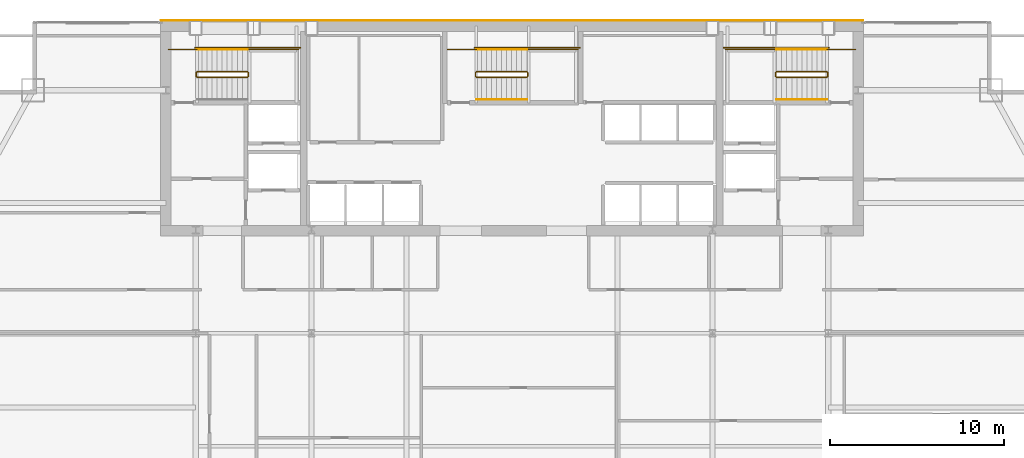
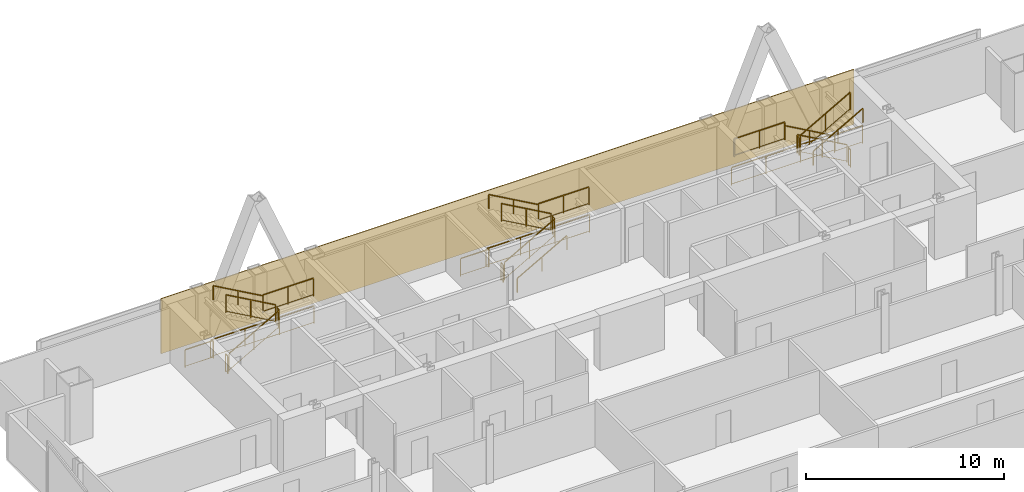
# One storey, part 29 of 29: 26 railings, 1 covering.
"""IFC4 building model written with IfcOpenShell, lengths in metres."""

import ifcopenshell
import ifcopenshell.guid

model = None  # the IFC model being written
_history = None  # IfcOwnerHistory: only IFC2X3 demands one
_inside = {}  # id of a spatial element -> (the spatial element, [elements in it])
_under = {}  # id of a project, library or spatial element -> (it, [spatial elements below it])
_declared = {}  # id of a project -> (the project, [libraries it declares])
_typed = {}  # id of a type object -> (the type object, [elements of that type])
_made_of = {}  # id of a material, layer set ... -> (it, [elements and type objects made of it])


def new_model(schema):
    """Start an empty IFC model of exactly this schema.

    Asked for "IFC4X3", IfcOpenShell would pick the latest addendum, in which some entities
    have other attributes; the version numbers below select the first issue.
    IFC2X3 requires an IfcOwnerHistory on every rooted entity: one is made here for all.
    """
    global model, _history
    if schema == "IFC4X3":
        model = ifcopenshell.file(schema_version=(4, 3, 0, 0))
    else:
        model = ifcopenshell.file(schema=schema)
    _inside.clear()
    _under.clear()
    _declared.clear()
    _typed.clear()
    _made_of.clear()
    _history = None
    if model.schema == "IFC2X3":
        org = make("IfcOrganization", Name="unknown")
        user = make(
            "IfcPersonAndOrganization",
            ThePerson=make("IfcPerson", FamilyName="unknown"),
            TheOrganization=org,
        )
        app = make(
            "IfcApplication",
            ApplicationDeveloper=org,
            Version="unknown",
            ApplicationFullName="unknown",
            ApplicationIdentifier="unknown",
        )
        _history = make(
            "IfcOwnerHistory",
            OwningUser=user,
            OwningApplication=app,
            ChangeAction="ADDED",
            CreationDate=0,
        )
    return model


def make(cls, **values):
    """One entity of the class cls with the attributes given. An attribute that is None is left unset."""
    return model.create_entity(
        cls, **{name: value for name, value in values.items() if value is not None}
    )


def rooted(cls, **values):
    """An entity with a GlobalId (a new one), such as an element, a storey or a relation."""
    return make(cls, GlobalId=ifcopenshell.guid.new(), OwnerHistory=_history, **values)


def si_unit(unit_type, name, prefix=None):
    """IfcSIUnit, for example si_unit("LENGTHUNIT", "METRE", prefix="MILLI")."""
    return make("IfcSIUnit", UnitType=unit_type, Prefix=prefix, Name=name)


def assignment(units):
    """IfcUnitAssignment: the units of a project."""
    return None if units is None else make("IfcUnitAssignment", Units=units)


def point(xyz):
    """IfcCartesianPoint."""
    return None if xyz is None else make("IfcCartesianPoint", Coordinates=xyz)


def direction(xyz):
    """IfcDirection."""
    return None if xyz is None else make("IfcDirection", DirectionRatios=xyz)


def frame(location, z_axis=None, x_axis=None):
    """IfcAxis2Placement3D, a coordinate frame: its origin and axes. An axis left out is left unset."""
    return make(
        "IfcAxis2Placement3D",
        Location=point(location),
        Axis=direction(z_axis),
        RefDirection=direction(x_axis),
    )


def frame_2d(location, x_axis=None):
    """IfcAxis2Placement2D, a coordinate frame in the plane: its origin and x axis."""
    return make(
        "IfcAxis2Placement2D", Location=point(location), RefDirection=direction(x_axis)
    )


def origin():
    """The frame at (0, 0, 0) with its axes left unset."""
    return frame((0.0, 0.0, 0.0))


def origin_2d():
    """The frame at (0, 0) in the plane with its x axis left unset."""
    return frame_2d((0.0, 0.0))


def place(relative_to, where):
    """IfcLocalPlacement: puts the frame where relative to a parent placement (None: the world)."""
    return make(
        "IfcLocalPlacement", PlacementRelTo=relative_to, RelativePlacement=where
    )


def context(
    kind, dimensions, precision=None, world=None, true_north=None, identifier=None
):
    """IfcGeometricRepresentationContext, for example the 3D "Model" context."""
    return make(
        "IfcGeometricRepresentationContext",
        ContextIdentifier=identifier,
        ContextType=kind,
        CoordinateSpaceDimension=dimensions,
        Precision=precision,
        WorldCoordinateSystem=world,
        TrueNorth=true_north,
    )


def subcontext(parent, identifier, kind, view, scale=None):
    """IfcGeometricRepresentationSubContext, for example "Body" below "Model"."""
    return make(
        "IfcGeometricRepresentationSubContext",
        ContextIdentifier=identifier,
        ContextType=kind,
        ParentContext=parent,
        TargetScale=scale,
        TargetView=view,
    )


def project(units=None, contexts=None):
    """IfcProject with its units and contexts."""
    return rooted(
        "IfcProject",
        Name="project",
        RepresentationContexts=contexts,
        UnitsInContext=assignment(units),
    )


def spatial(cls, under=None, at=None, **own):
    """A site, building, storey or space (cls), placed at a placement, below another one or the project."""
    s = rooted(cls, ObjectPlacement=at, **own)
    if under is not None:
        _under.setdefault(under.id(), (under, []))[1].append(s)
    return s


def polyline(points):
    """IfcPolyline through the points."""
    return make("IfcPolyline", Points=[point(p) for p in points])


def profile(cls, at=None, kind="AREA", **sizes):
    """A parametric profile (cls). Its sizes go by their IFC names, for example OverallWidth=200.0."""
    return make(cls, ProfileType=kind, Position=at, **sizes)


def rectangle(**sizes):
    """IfcRectangleProfileDef."""
    return profile("IfcRectangleProfileDef", **sizes)


def outline(outer, holes=None, kind="AREA"):
    """IfcArbitraryClosedProfileDef: a profile drawn as a closed curve; with holes, ...WithVoids."""
    if holes is None:
        return make("IfcArbitraryClosedProfileDef", ProfileType=kind, OuterCurve=outer)
    return make(
        "IfcArbitraryProfileDefWithVoids",
        ProfileType=kind,
        OuterCurve=outer,
        InnerCurves=holes,
    )


def extrude(swept, where, along, depth):
    """IfcExtrudedAreaSolid: the profile swept, set in the frame where, extruded along a direction by depth."""
    return make(
        "IfcExtrudedAreaSolid",
        SweptArea=swept,
        Position=where,
        ExtrudedDirection=direction(along),
        Depth=depth,
    )


def shape(context_of_items, identifier, shape_type, items):
    """IfcShapeRepresentation: the items that make up one representation, for example the "Body"."""
    return make(
        "IfcShapeRepresentation",
        ContextOfItems=context_of_items,
        RepresentationIdentifier=identifier,
        RepresentationType=shape_type,
        Items=items,
    )


def material(Name=None, Category=None):
    """IfcMaterial."""
    return make("IfcMaterial", Name=Name, Category=Category)


def layer(
    of_material, thickness, ventilated=None, Name=None, Category=None, Priority=None
):
    """IfcMaterialLayer: one layer of a wall or slab, of a material (None: an air gap)."""
    return make(
        "IfcMaterialLayer",
        Material=of_material,
        LayerThickness=thickness,
        IsVentilated=ventilated,
        Name=Name,
        Category=Category,
        Priority=Priority,
    )


def layer_set(layers, Name=None):
    """IfcMaterialLayerSet."""
    return make("IfcMaterialLayerSet", MaterialLayers=layers, LayerSetName=Name)


def made_of(thing, what):
    """Note that an element or type object is made of a material, layer set ...; save() writes the relation."""
    if what is not None:
        _made_of.setdefault(what.id(), (what, []))[1].append(thing)
    return thing


def type_object(cls, material=None, **own):
    """A type object (cls), such as IfcWallType, which elements share."""
    return made_of(rooted(cls, **own), material)


def element(
    cls,
    number,
    at=None,
    inside=None,
    cuts=None,
    type_object=None,
    material=None,
    context=None,
    identifier="Body",
    shape_type=None,
    held_by="IfcProductDefinitionShape",
    body=None,
    shapes=None,
    **own,
):
    """One element of the class cls, such as IfcWall. Its Tag is "e" and its number.

    at: its placement. inside: the storey or other place that contains it. cuts: it is an
    opening in that element (IfcRelVoidsElement). A single representation is given by context,
    identifier, shape_type and body (its items); several are given by shapes. held_by: the class
    of the entity that holds the representations. save() writes the other relations.
    """
    e = rooted(cls, Tag="e%d" % number, ObjectPlacement=at, **own)
    if body is not None:
        shapes = [shape(context, identifier, shape_type, body)]
    if shapes is not None:
        e.Representation = make(held_by, Representations=shapes)
    if inside is not None:
        _inside.setdefault(inside.id(), (inside, []))[1].append(e)
    if cuts is not None:
        rooted(
            "IfcRelVoidsElement", RelatingBuildingElement=cuts, RelatedOpeningElement=e
        )
    if type_object is not None:
        _typed.setdefault(type_object.id(), (type_object, []))[1].append(e)
    return made_of(e, material)


def aggregate(whole, parts):
    """IfcRelAggregates: a whole, such as a stair, and the parts it consists of."""
    return rooted("IfcRelAggregates", RelatingObject=whole, RelatedObjects=parts)


def save(model, path):
    """Write the relations noted so far, then the file.

    IfcRelAggregates (storeys below a building ...), IfcRelContainedInSpatialStructure (elements
    in a storey), IfcRelDefinesByType, IfcRelAssociatesMaterial and IfcRelDeclares: one each for
    every whole, place, type object, material and project.
    """
    for whole, parts in _under.values():
        aggregate(whole, parts)
    for where, things in _inside.values():
        rooted(
            "IfcRelContainedInSpatialStructure",
            RelatedElements=things,
            RelatingStructure=where,
        )
    for kind, things in _typed.values():
        rooted("IfcRelDefinesByType", RelatedObjects=things, RelatingType=kind)
    for what, things in _made_of.values():
        rooted("IfcRelAssociatesMaterial", RelatedObjects=things, RelatingMaterial=what)
    for by, libraries in _declared.values():
        rooted("IfcRelDeclares", RelatingContext=by, RelatedDefinitions=libraries)
    model.write(path)


model = new_model("IFC4")

# Units and contexts
model_context = context("Model", 3, precision=1e-05, world=origin(), true_north=direction((0.0, 1.0)))
body_context = subcontext(model_context, "Body", "Model", "MODEL_VIEW")
ifc_project = project(units=[si_unit("LENGTHUNIT", "METRE"), si_unit("AREAUNIT", "SQUARE_METRE"), si_unit("VOLUMEUNIT", "CUBIC_METRE"), si_unit("PLANEANGLEUNIT", "RADIAN"), si_unit("MASSUNIT", "GRAM", prefix="KILO")], contexts=[model_context])

# Site, building, storey
site_placement = place(None, origin())
site = spatial("IfcSite", under=ifc_project, at=site_placement, CompositionType="ELEMENT")
building_placement = place(site_placement, origin())
building = spatial("IfcBuilding", under=site, at=building_placement, Name="Khoronbel Lancet Exchange", CompositionType="ELEMENT")
storey_placement = place(building_placement, frame((0.0, 0.0, 180.60009765625)))
storey = spatial("IfcBuildingStorey", under=building, at=storey_placement, Name="L45", CompositionType="ELEMENT", Elevation=180.60009765625)

# Covering
ifc_material_1 = material(Name="Honed Egyptian Limestone & Bronze Rainscreen", Category="masonry")
ifc_layer = layer(ifc_material_1, 0.050048828125, Name="Honed Egyptian Limestone & Bronze Rainscreen")
ifc_layer_set = layer_set([ifc_layer], Name="Honed Egyptian Limestone & Bronze Rainscreen")
covering_type = type_object("IfcCoveringType", Name="COV-CLAD1", PredefinedType="CLADDING", material=ifc_layer_set)
covering_placement = place(storey_placement, origin())
element("IfcCovering", 1, at=covering_placement, inside=storey, type_object=covering_type, Name="Level L45 north rear-core stone and bronze rainscreen cladding", PredefinedType="CLADDING", context=body_context, shape_type="SweptSolid", body=[
    extrude(outline(polyline([(16.199951171875, 53.699951171875), (56.699951171875, 53.699951171875), (56.699951171875, 53.75), (16.199951171875, 53.75), (16.199951171875, 53.699951171875)])), origin(), (0.0, 0.0, 1.0), 3.39990234375),
])

# Railings
ifc_material_2 = material(Name="Painted Steel Balustrade", Category="steel")
railing_type_1 = type_object("IfcRailingType", Name="RL-STG110", PredefinedType="GUARDRAIL", material=ifc_material_2)
railing_1_placement = place(storey_placement, frame((18.300048828125, 50.449951171875, 0.16357421875)))
element("IfcRailing", 2, at=railing_1_placement, inside=storey, type_object=railing_type_1, Name="L45 ST1 stair guard 1", PredefinedType="GUARDRAIL", context=body_context, shape_type="SweptSolid", body=[
    extrude(rectangle(XDim=0.048095703125, YDim=0.048095703125, at=origin_2d()), frame((0.0, 0.0, 1.09619140625), z_axis=(0.870928581787, 0.0, 0.491409610636), x_axis=(0.0, 1.0, 0.0)), (0.0, 0.0, 1.0), 3.32958984375),
    extrude(rectangle(XDim=0.02392578125, YDim=0.02392578125, at=origin_2d()), frame((0.0, 0.0, 0.080078125), z_axis=(0.870928581787, 0.0, 0.491409610636), x_axis=(0.0, 1.0, 0.0)), (0.0, 0.0, 1.0), 3.32958984375),
    extrude(rectangle(XDim=0.0419921875, YDim=0.0419921875, at=origin_2d()), origin(), (0.0, 0.0, 1.0), 1.072021484375),
    extrude(rectangle(XDim=0.0419921875, YDim=0.0419921875, at=origin_2d()), frame((1.449951171875, 0.0, 0.818115234375)), (0.0, 0.0, 1.0), 1.072021484375),
    extrude(rectangle(XDim=0.0419921875, YDim=0.0419921875, at=origin_2d()), frame((2.89990234375, 0.0, 1.63623046875)), (0.0, 0.0, 1.0), 1.072021484375),
])
railing_2_placement = place(storey_placement, frame((21.25, 50.5, 1.7998046875)))
element("IfcRailing", 3, at=railing_2_placement, inside=storey, type_object=railing_type_1, Name="L45 ST1 stair guard 2", PredefinedType="GUARDRAIL", context=body_context, shape_type="SweptSolid", body=[
    extrude(rectangle(XDim=0.048095703125, YDim=0.048095703125, at=origin_2d()), frame((0.0, 0.0, 1.09619140625), z_axis=(0.0, 1.0, 0.0), x_axis=(-1.0, 0.0, 0.0)), (0.0, 0.0, 1.0), 0.219970703125),
    extrude(rectangle(XDim=0.02392578125, YDim=0.02392578125, at=origin_2d()), frame((0.0, 0.0, 0.080078125), z_axis=(0.0, 1.0, 0.0), x_axis=(-1.0, 0.0, 0.0)), (0.0, 0.0, 1.0), 0.219970703125),
    extrude(rectangle(XDim=0.0419921875, YDim=0.0419921875, at=origin_2d()), origin(), (0.0, 0.0, 1.0), 1.072021484375),
    extrude(rectangle(XDim=0.0419921875, YDim=0.0419921875, at=origin_2d()), frame((0.0, 0.219970703125, 0.0)), (0.0, 0.0, 1.0), 1.072021484375),
])
railing_3_placement = place(storey_placement, frame((21.199951171875, 52.050048828125, 1.7998046875)))
element("IfcRailing", 4, at=railing_3_placement, inside=storey, type_object=railing_type_1, Name="L45 ST1 stair guard 3", PredefinedType="GUARDRAIL", context=body_context, shape_type="SweptSolid", body=[
    extrude(rectangle(XDim=0.048095703125, YDim=0.048095703125, at=origin_2d()), frame((0.0, 0.0, 1.09619140625), z_axis=(1.0, 0.0, 0.0), x_axis=(0.0, 1.0, 0.0)), (0.0, 0.0, 1.0), 2.949951171875),
    extrude(rectangle(XDim=0.02392578125, YDim=0.02392578125, at=origin_2d()), frame((0.0, 0.0, 0.080078125), z_axis=(1.0, 0.0, 0.0), x_axis=(0.0, 1.0, 0.0)), (0.0, 0.0, 1.0), 2.949951171875),
    extrude(rectangle(XDim=0.0419921875, YDim=0.0419921875, at=origin_2d()), origin(), (0.0, 0.0, 1.0), 1.072021484375),
    extrude(rectangle(XDim=0.0419921875, YDim=0.0419921875, at=origin_2d()), frame((1.47509765625, 0.0, 0.0)), (0.0, 0.0, 1.0), 1.072021484375),
    extrude(rectangle(XDim=0.0419921875, YDim=0.0419921875, at=origin_2d()), frame((2.949951171875, 0.0, 0.0)), (0.0, 0.0, 1.0), 1.072021484375),
])
railing_4_placement = place(storey_placement, frame((21.199951171875, 50.77001953125, 1.963623046875)))
element("IfcRailing", 5, at=railing_4_placement, inside=storey, type_object=railing_type_1, Name="L45 ST1 stair guard 4", PredefinedType="GUARDRAIL", context=body_context, shape_type="SweptSolid", body=[
    extrude(rectangle(XDim=0.048095703125, YDim=0.048095703125, at=origin_2d()), frame((0.0, 0.0, 1.09619140625), z_axis=(-0.870928581787, 0.0, 0.491409610636), x_axis=(0.0, -1.0, 0.0)), (0.0, 0.0, 1.0), 3.32958984375),
    extrude(rectangle(XDim=0.02392578125, YDim=0.02392578125, at=origin_2d()), frame((0.0, 0.0, 0.080078125), z_axis=(-0.870928581787, 0.0, 0.491409610636), x_axis=(0.0, -1.0, 0.0)), (0.0, 0.0, 1.0), 3.32958984375),
    extrude(rectangle(XDim=0.0419921875, YDim=0.0419921875, at=origin_2d()), origin(), (0.0, 0.0, 1.0), 1.072021484375),
    extrude(rectangle(XDim=0.0419921875, YDim=0.0419921875, at=origin_2d()), frame((-1.449951171875, 0.0, 0.818115234375)), (0.0, 0.0, 1.0), 1.072021484375),
    extrude(rectangle(XDim=0.0419921875, YDim=0.0419921875, at=origin_2d()), frame((-2.89990234375, 0.0, 1.63623046875)), (0.0, 0.0, 1.0), 1.072021484375),
])
railing_5_placement = place(storey_placement, frame((18.25, 50.5, 0.0)))
element("IfcRailing", 6, at=railing_5_placement, inside=storey, type_object=railing_type_1, Name="L45 ST1 stair guard 5", PredefinedType="GUARDRAIL", context=body_context, shape_type="SweptSolid", body=[
    extrude(rectangle(XDim=0.048095703125, YDim=0.048095703125, at=origin_2d()), frame((0.0, 0.0, 1.09619140625), z_axis=(0.0, 1.0, 0.0), x_axis=(-1.0, 0.0, 0.0)), (0.0, 0.0, 1.0), 0.219970703125),
    extrude(rectangle(XDim=0.02392578125, YDim=0.02392578125, at=origin_2d()), frame((0.0, 0.0, 0.080078125), z_axis=(0.0, 1.0, 0.0), x_axis=(-1.0, 0.0, 0.0)), (0.0, 0.0, 1.0), 0.219970703125),
    extrude(rectangle(XDim=0.0419921875, YDim=0.0419921875, at=origin_2d()), origin(), (0.0, 0.0, 1.0), 1.072021484375),
    extrude(rectangle(XDim=0.0419921875, YDim=0.0419921875, at=origin_2d()), frame((0.0, 0.219970703125, 0.0)), (0.0, 0.0, 1.0), 1.072021484375),
])
railing_6_placement = place(storey_placement, frame((16.64990234375, 52.050048828125, 0.0)))
element("IfcRailing", 7, at=railing_6_placement, inside=storey, type_object=railing_type_1, Name="L45 ST1 stair guard 6", PredefinedType="GUARDRAIL", context=body_context, shape_type="SweptSolid", body=[
    extrude(rectangle(XDim=0.048095703125, YDim=0.048095703125, at=origin_2d()), frame((0.0, 0.0, 1.09619140625), z_axis=(1.0, 0.0, 0.0), x_axis=(0.0, 1.0, 0.0)), (0.0, 0.0, 1.0), 1.650146484375),
    extrude(rectangle(XDim=0.02392578125, YDim=0.02392578125, at=origin_2d()), frame((0.0, 0.0, 0.080078125), z_axis=(1.0, 0.0, 0.0), x_axis=(0.0, 1.0, 0.0)), (0.0, 0.0, 1.0), 1.650146484375),
    extrude(rectangle(XDim=0.0419921875, YDim=0.0419921875, at=origin_2d()), origin(), (0.0, 0.0, 1.0), 1.072021484375),
    extrude(rectangle(XDim=0.0419921875, YDim=0.0419921875, at=origin_2d()), frame((1.650146484375, 0.0, 0.0)), (0.0, 0.0, 1.0), 1.072021484375),
])
railing_7_placement = place(storey_placement, frame((18.199951171875, 52.14990234375, 0.0)))
element("IfcRailing", 8, at=railing_7_placement, inside=storey, type_object=railing_type_1, Name="L45 ST1 stair guard 7", PredefinedType="GUARDRAIL", context=body_context, shape_type="SweptSolid", body=[
    extrude(rectangle(XDim=0.048095703125, YDim=0.048095703125, at=origin_2d()), frame((0.0, 0.0, 1.09619140625), z_axis=(1.0, 0.0, 0.0), x_axis=(0.0, 1.0, 0.0)), (0.0, 0.0, 1.0), 6.050048828125),
    extrude(rectangle(XDim=0.02392578125, YDim=0.02392578125, at=origin_2d()), frame((0.0, 0.0, 0.080078125), z_axis=(1.0, 0.0, 0.0), x_axis=(0.0, 1.0, 0.0)), (0.0, 0.0, 1.0), 6.050048828125),
    extrude(rectangle(XDim=0.0419921875, YDim=0.0419921875, at=origin_2d()), origin(), (0.0, 0.0, 1.0), 1.072021484375),
    extrude(rectangle(XDim=0.0419921875, YDim=0.0419921875, at=origin_2d()), frame((2.0166015625, 0.0, 0.0)), (0.0, 0.0, 1.0), 1.072021484375),
    extrude(rectangle(XDim=0.0419921875, YDim=0.0419921875, at=origin_2d()), frame((4.033447265625, 0.0, 0.0)), (0.0, 0.0, 1.0), 1.072021484375),
    extrude(rectangle(XDim=0.0419921875, YDim=0.0419921875, at=origin_2d()), frame((6.050048828125, 0.0, 0.0)), (0.0, 0.0, 1.0), 1.072021484375),
])
railing_8_placement = place(storey_placement, frame((54.60009765625, 50.77001953125, 0.16357421875)))
element("IfcRailing", 9, at=railing_8_placement, inside=storey, type_object=railing_type_1, Name="L45 ST2 stair guard 1", PredefinedType="GUARDRAIL", context=body_context, shape_type="SweptSolid", body=[
    extrude(rectangle(XDim=0.048095703125, YDim=0.048095703125, at=origin_2d()), frame((0.0, 0.0, 1.09619140625), z_axis=(-0.870946286338, 0.0, 0.49137823142), x_axis=(0.0, -1.0, 0.0)), (0.0, 0.0, 1.0), 3.329833984375),
    extrude(rectangle(XDim=0.02392578125, YDim=0.02392578125, at=origin_2d()), frame((0.0, 0.0, 0.080078125), z_axis=(-0.870946286338, 0.0, 0.49137823142), x_axis=(0.0, -1.0, 0.0)), (0.0, 0.0, 1.0), 3.329833984375),
    extrude(rectangle(XDim=0.0419921875, YDim=0.0419921875, at=origin_2d()), origin(), (0.0, 0.0, 1.0), 1.072021484375),
    extrude(rectangle(XDim=0.0419921875, YDim=0.0419921875, at=origin_2d()), frame((-1.4501953125, 0.0, 0.818115234375)), (0.0, 0.0, 1.0), 1.072021484375),
    extrude(rectangle(XDim=0.0419921875, YDim=0.0419921875, at=origin_2d()), frame((-2.900146484375, 0.0, 1.63623046875)), (0.0, 0.0, 1.0), 1.072021484375),
])
railing_9_placement = place(storey_placement, frame((51.64990234375, 50.719970703125, 1.7998046875)))
element("IfcRailing", 10, at=railing_9_placement, inside=storey, type_object=railing_type_1, Name="L45 ST2 stair guard 2", PredefinedType="GUARDRAIL", context=body_context, shape_type="SweptSolid", body=[
    extrude(rectangle(XDim=0.048095703125, YDim=0.048095703125, at=origin_2d()), frame((0.0, 0.0, 1.09619140625), z_axis=(0.0, -1.0, 0.0), x_axis=(1.0, 0.0, 0.0)), (0.0, 0.0, 1.0), 0.219970703125),
    extrude(rectangle(XDim=0.02392578125, YDim=0.02392578125, at=origin_2d()), frame((0.0, 0.0, 0.080078125), z_axis=(0.0, -1.0, 0.0), x_axis=(1.0, 0.0, 0.0)), (0.0, 0.0, 1.0), 0.219970703125),
    extrude(rectangle(XDim=0.0419921875, YDim=0.0419921875, at=origin_2d()), origin(), (0.0, 0.0, 1.0), 1.072021484375),
    extrude(rectangle(XDim=0.0419921875, YDim=0.0419921875, at=origin_2d()), frame((0.0, -0.219970703125, 0.0)), (0.0, 0.0, 1.0), 1.072021484375),
])
railing_10_placement = place(storey_placement, frame((51.699951171875, 52.050048828125, 1.7998046875)))
element("IfcRailing", 11, at=railing_10_placement, inside=storey, type_object=railing_type_1, Name="L45 ST2 stair guard 3", PredefinedType="GUARDRAIL", context=body_context, shape_type="SweptSolid", body=[
    extrude(rectangle(XDim=0.048095703125, YDim=0.048095703125, at=origin_2d()), frame((0.0, 0.0, 1.09619140625), z_axis=(-1.0, 0.0, 0.0), x_axis=(0.0, -1.0, 0.0)), (0.0, 0.0, 1.0), 2.949951171875),
    extrude(rectangle(XDim=0.02392578125, YDim=0.02392578125, at=origin_2d()), frame((0.0, 0.0, 0.080078125), z_axis=(-1.0, 0.0, 0.0), x_axis=(0.0, -1.0, 0.0)), (0.0, 0.0, 1.0), 2.949951171875),
    extrude(rectangle(XDim=0.0419921875, YDim=0.0419921875, at=origin_2d()), origin(), (0.0, 0.0, 1.0), 1.072021484375),
    extrude(rectangle(XDim=0.0419921875, YDim=0.0419921875, at=origin_2d()), frame((-1.47509765625, 0.0, 0.0)), (0.0, 0.0, 1.0), 1.072021484375),
    extrude(rectangle(XDim=0.0419921875, YDim=0.0419921875, at=origin_2d()), frame((-2.949951171875, 0.0, 0.0)), (0.0, 0.0, 1.0), 1.072021484375),
])
railing_11_placement = place(storey_placement, frame((51.699951171875, 50.449951171875, 1.963623046875)))
element("IfcRailing", 12, at=railing_11_placement, inside=storey, type_object=railing_type_1, Name="L45 ST2 stair guard 4", PredefinedType="GUARDRAIL", context=body_context, shape_type="SweptSolid", body=[
    extrude(rectangle(XDim=0.048095703125, YDim=0.048095703125, at=origin_2d()), frame((0.0, 0.0, 1.09619140625), z_axis=(0.870946286338, 0.0, 0.49137823142), x_axis=(0.0, 1.0, 0.0)), (0.0, 0.0, 1.0), 3.329833984375),
    extrude(rectangle(XDim=0.02392578125, YDim=0.02392578125, at=origin_2d()), frame((0.0, 0.0, 0.080078125), z_axis=(0.870946286338, 0.0, 0.49137823142), x_axis=(0.0, 1.0, 0.0)), (0.0, 0.0, 1.0), 3.329833984375),
    extrude(rectangle(XDim=0.0419921875, YDim=0.0419921875, at=origin_2d()), origin(), (0.0, 0.0, 1.0), 1.072021484375),
    extrude(rectangle(XDim=0.0419921875, YDim=0.0419921875, at=origin_2d()), frame((1.4501953125, 0.0, 0.818115234375)), (0.0, 0.0, 1.0), 1.072021484375),
    extrude(rectangle(XDim=0.0419921875, YDim=0.0419921875, at=origin_2d()), frame((2.900146484375, 0.0, 1.63623046875)), (0.0, 0.0, 1.0), 1.072021484375),
])
railing_12_placement = place(storey_placement, frame((54.64990234375, 50.719970703125, 0.0)))
element("IfcRailing", 13, at=railing_12_placement, inside=storey, type_object=railing_type_1, Name="L45 ST2 stair guard 5", PredefinedType="GUARDRAIL", context=body_context, shape_type="SweptSolid", body=[
    extrude(rectangle(XDim=0.048095703125, YDim=0.048095703125, at=origin_2d()), frame((0.0, 0.0, 1.09619140625), z_axis=(0.0, -1.0, 0.0), x_axis=(1.0, 0.0, 0.0)), (0.0, 0.0, 1.0), 0.219970703125),
    extrude(rectangle(XDim=0.02392578125, YDim=0.02392578125, at=origin_2d()), frame((0.0, 0.0, 0.080078125), z_axis=(0.0, -1.0, 0.0), x_axis=(1.0, 0.0, 0.0)), (0.0, 0.0, 1.0), 0.219970703125),
    extrude(rectangle(XDim=0.0419921875, YDim=0.0419921875, at=origin_2d()), origin(), (0.0, 0.0, 1.0), 1.072021484375),
    extrude(rectangle(XDim=0.0419921875, YDim=0.0419921875, at=origin_2d()), frame((0.0, -0.219970703125, 0.0)), (0.0, 0.0, 1.0), 1.072021484375),
])
railing_13_placement = place(storey_placement, frame((56.25, 52.050048828125, 0.0)))
element("IfcRailing", 14, at=railing_13_placement, inside=storey, type_object=railing_type_1, Name="L45 ST2 stair guard 6", PredefinedType="GUARDRAIL", context=body_context, shape_type="SweptSolid", body=[
    extrude(rectangle(XDim=0.048095703125, YDim=0.048095703125, at=origin_2d()), frame((0.0, 0.0, 1.09619140625), z_axis=(-1.0, 0.0, 0.0), x_axis=(0.0, -1.0, 0.0)), (0.0, 0.0, 1.0), 1.64990234375),
    extrude(rectangle(XDim=0.02392578125, YDim=0.02392578125, at=origin_2d()), frame((0.0, 0.0, 0.080078125), z_axis=(-1.0, 0.0, 0.0), x_axis=(0.0, -1.0, 0.0)), (0.0, 0.0, 1.0), 1.64990234375),
    extrude(rectangle(XDim=0.0419921875, YDim=0.0419921875, at=origin_2d()), origin(), (0.0, 0.0, 1.0), 1.072021484375),
    extrude(rectangle(XDim=0.0419921875, YDim=0.0419921875, at=origin_2d()), frame((-1.64990234375, 0.0, 0.0)), (0.0, 0.0, 1.0), 1.072021484375),
])
railing_14_placement = place(storey_placement, frame((54.699951171875, 52.14990234375, 0.0)))
element("IfcRailing", 15, at=railing_14_placement, inside=storey, type_object=railing_type_1, Name="L45 ST2 stair guard 7", PredefinedType="GUARDRAIL", context=body_context, shape_type="SweptSolid", body=[
    extrude(rectangle(XDim=0.048095703125, YDim=0.048095703125, at=origin_2d()), frame((0.0, 0.0, 1.09619140625), z_axis=(-1.0, 0.0, 0.0), x_axis=(0.0, -1.0, 0.0)), (0.0, 0.0, 1.0), 6.050048828125),
    extrude(rectangle(XDim=0.02392578125, YDim=0.02392578125, at=origin_2d()), frame((0.0, 0.0, 0.080078125), z_axis=(-1.0, 0.0, 0.0), x_axis=(0.0, -1.0, 0.0)), (0.0, 0.0, 1.0), 6.050048828125),
    extrude(rectangle(XDim=0.0419921875, YDim=0.0419921875, at=origin_2d()), origin(), (0.0, 0.0, 1.0), 1.072021484375),
    extrude(rectangle(XDim=0.0419921875, YDim=0.0419921875, at=origin_2d()), frame((-2.0166015625, 0.0, 0.0)), (0.0, 0.0, 1.0), 1.072021484375),
    extrude(rectangle(XDim=0.0419921875, YDim=0.0419921875, at=origin_2d()), frame((-4.033447265625, 0.0, 0.0)), (0.0, 0.0, 1.0), 1.072021484375),
    extrude(rectangle(XDim=0.0419921875, YDim=0.0419921875, at=origin_2d()), frame((-6.050048828125, 0.0, 0.0)), (0.0, 0.0, 1.0), 1.072021484375),
])
railing_15_placement = place(storey_placement, frame((34.39990234375, 50.449951171875, 0.16357421875)))
element("IfcRailing", 16, at=railing_15_placement, inside=storey, type_object=railing_type_1, Name="L45 ST3 stair guard 1", PredefinedType="GUARDRAIL", context=body_context, shape_type="SweptSolid", body=[
    extrude(rectangle(XDim=0.048095703125, YDim=0.048095703125, at=origin_2d()), frame((0.0, 0.0, 1.09619140625), z_axis=(0.870946286338, 0.0, 0.49137823142), x_axis=(0.0, 1.0, 0.0)), (0.0, 0.0, 1.0), 3.329833984375),
    extrude(rectangle(XDim=0.02392578125, YDim=0.02392578125, at=origin_2d()), frame((0.0, 0.0, 0.080078125), z_axis=(0.870946286338, 0.0, 0.49137823142), x_axis=(0.0, 1.0, 0.0)), (0.0, 0.0, 1.0), 3.329833984375),
    extrude(rectangle(XDim=0.0419921875, YDim=0.0419921875, at=origin_2d()), origin(), (0.0, 0.0, 1.0), 1.072021484375),
    extrude(rectangle(XDim=0.0419921875, YDim=0.0419921875, at=origin_2d()), frame((1.4501953125, 0.0, 0.818115234375)), (0.0, 0.0, 1.0), 1.072021484375),
    extrude(rectangle(XDim=0.0419921875, YDim=0.0419921875, at=origin_2d()), frame((2.900146484375, 0.0, 1.63623046875)), (0.0, 0.0, 1.0), 1.072021484375),
])
railing_16_placement = place(storey_placement, frame((37.35009765625, 50.5, 1.7998046875)))
element("IfcRailing", 17, at=railing_16_placement, inside=storey, type_object=railing_type_1, Name="L45 ST3 stair guard 2", PredefinedType="GUARDRAIL", context=body_context, shape_type="SweptSolid", body=[
    extrude(rectangle(XDim=0.048095703125, YDim=0.048095703125, at=origin_2d()), frame((0.0, 0.0, 1.09619140625), z_axis=(0.0, 1.0, 0.0), x_axis=(-1.0, 0.0, 0.0)), (0.0, 0.0, 1.0), 0.219970703125),
    extrude(rectangle(XDim=0.02392578125, YDim=0.02392578125, at=origin_2d()), frame((0.0, 0.0, 0.080078125), z_axis=(0.0, 1.0, 0.0), x_axis=(-1.0, 0.0, 0.0)), (0.0, 0.0, 1.0), 0.219970703125),
    extrude(rectangle(XDim=0.0419921875, YDim=0.0419921875, at=origin_2d()), origin(), (0.0, 0.0, 1.0), 1.072021484375),
    extrude(rectangle(XDim=0.0419921875, YDim=0.0419921875, at=origin_2d()), frame((0.0, 0.219970703125, 0.0)), (0.0, 0.0, 1.0), 1.072021484375),
])
railing_17_placement = place(storey_placement, frame((37.300048828125, 52.050048828125, 1.7998046875)))
element("IfcRailing", 18, at=railing_17_placement, inside=storey, type_object=railing_type_1, Name="L45 ST3 stair guard 3", PredefinedType="GUARDRAIL", context=body_context, shape_type="SweptSolid", body=[
    extrude(rectangle(XDim=0.048095703125, YDim=0.048095703125, at=origin_2d()), frame((0.0, 0.0, 1.09619140625), z_axis=(1.0, 0.0, 0.0), x_axis=(0.0, 1.0, 0.0)), (0.0, 0.0, 1.0), 2.949951171875),
    extrude(rectangle(XDim=0.02392578125, YDim=0.02392578125, at=origin_2d()), frame((0.0, 0.0, 0.080078125), z_axis=(1.0, 0.0, 0.0), x_axis=(0.0, 1.0, 0.0)), (0.0, 0.0, 1.0), 2.949951171875),
    extrude(rectangle(XDim=0.0419921875, YDim=0.0419921875, at=origin_2d()), origin(), (0.0, 0.0, 1.0), 1.072021484375),
    extrude(rectangle(XDim=0.0419921875, YDim=0.0419921875, at=origin_2d()), frame((1.47509765625, 0.0, 0.0)), (0.0, 0.0, 1.0), 1.072021484375),
    extrude(rectangle(XDim=0.0419921875, YDim=0.0419921875, at=origin_2d()), frame((2.949951171875, 0.0, 0.0)), (0.0, 0.0, 1.0), 1.072021484375),
])
railing_18_placement = place(storey_placement, frame((37.300048828125, 50.77001953125, 1.963623046875)))
element("IfcRailing", 19, at=railing_18_placement, inside=storey, type_object=railing_type_1, Name="L45 ST3 stair guard 4", PredefinedType="GUARDRAIL", context=body_context, shape_type="SweptSolid", body=[
    extrude(rectangle(XDim=0.048095703125, YDim=0.048095703125, at=origin_2d()), frame((0.0, 0.0, 1.09619140625), z_axis=(-0.870946286338, 0.0, 0.49137823142), x_axis=(0.0, -1.0, 0.0)), (0.0, 0.0, 1.0), 3.329833984375),
    extrude(rectangle(XDim=0.02392578125, YDim=0.02392578125, at=origin_2d()), frame((0.0, 0.0, 0.080078125), z_axis=(-0.870946286338, 0.0, 0.49137823142), x_axis=(0.0, -1.0, 0.0)), (0.0, 0.0, 1.0), 3.329833984375),
    extrude(rectangle(XDim=0.0419921875, YDim=0.0419921875, at=origin_2d()), origin(), (0.0, 0.0, 1.0), 1.072021484375),
    extrude(rectangle(XDim=0.0419921875, YDim=0.0419921875, at=origin_2d()), frame((-1.4501953125, 0.0, 0.818115234375)), (0.0, 0.0, 1.0), 1.072021484375),
    extrude(rectangle(XDim=0.0419921875, YDim=0.0419921875, at=origin_2d()), frame((-2.900146484375, 0.0, 1.63623046875)), (0.0, 0.0, 1.0), 1.072021484375),
])
railing_19_placement = place(storey_placement, frame((34.35009765625, 50.5, 0.0)))
element("IfcRailing", 20, at=railing_19_placement, inside=storey, type_object=railing_type_1, Name="L45 ST3 stair guard 5", PredefinedType="GUARDRAIL", context=body_context, shape_type="SweptSolid", body=[
    extrude(rectangle(XDim=0.048095703125, YDim=0.048095703125, at=origin_2d()), frame((0.0, 0.0, 1.09619140625), z_axis=(0.0, 1.0, 0.0), x_axis=(-1.0, 0.0, 0.0)), (0.0, 0.0, 1.0), 0.219970703125),
    extrude(rectangle(XDim=0.02392578125, YDim=0.02392578125, at=origin_2d()), frame((0.0, 0.0, 0.080078125), z_axis=(0.0, 1.0, 0.0), x_axis=(-1.0, 0.0, 0.0)), (0.0, 0.0, 1.0), 0.219970703125),
    extrude(rectangle(XDim=0.0419921875, YDim=0.0419921875, at=origin_2d()), origin(), (0.0, 0.0, 1.0), 1.072021484375),
    extrude(rectangle(XDim=0.0419921875, YDim=0.0419921875, at=origin_2d()), frame((0.0, 0.219970703125, 0.0)), (0.0, 0.0, 1.0), 1.072021484375),
])
railing_20_placement = place(storey_placement, frame((32.75, 52.050048828125, 0.0)))
element("IfcRailing", 21, at=railing_20_placement, inside=storey, type_object=railing_type_1, Name="L45 ST3 stair guard 6", PredefinedType="GUARDRAIL", context=body_context, shape_type="SweptSolid", body=[
    extrude(rectangle(XDim=0.048095703125, YDim=0.048095703125, at=origin_2d()), frame((0.0, 0.0, 1.09619140625), z_axis=(1.0, 0.0, 0.0), x_axis=(0.0, 1.0, 0.0)), (0.0, 0.0, 1.0), 1.64990234375),
    extrude(rectangle(XDim=0.02392578125, YDim=0.02392578125, at=origin_2d()), frame((0.0, 0.0, 0.080078125), z_axis=(1.0, 0.0, 0.0), x_axis=(0.0, 1.0, 0.0)), (0.0, 0.0, 1.0), 1.64990234375),
    extrude(rectangle(XDim=0.0419921875, YDim=0.0419921875, at=origin_2d()), origin(), (0.0, 0.0, 1.0), 1.072021484375),
    extrude(rectangle(XDim=0.0419921875, YDim=0.0419921875, at=origin_2d()), frame((1.64990234375, 0.0, 0.0)), (0.0, 0.0, 1.0), 1.072021484375),
])
railing_21_placement = place(storey_placement, frame((34.300048828125, 52.14990234375, 0.0)))
element("IfcRailing", 22, at=railing_21_placement, inside=storey, type_object=railing_type_1, Name="L45 ST3 stair guard 7", PredefinedType="GUARDRAIL", context=body_context, shape_type="SweptSolid", body=[
    extrude(rectangle(XDim=0.048095703125, YDim=0.048095703125, at=origin_2d()), frame((0.0, 0.0, 1.09619140625), z_axis=(1.0, 0.0, 0.0), x_axis=(0.0, 1.0, 0.0)), (0.0, 0.0, 1.0), 6.050048828125),
    extrude(rectangle(XDim=0.02392578125, YDim=0.02392578125, at=origin_2d()), frame((0.0, 0.0, 0.080078125), z_axis=(1.0, 0.0, 0.0), x_axis=(0.0, 1.0, 0.0)), (0.0, 0.0, 1.0), 6.050048828125),
    extrude(rectangle(XDim=0.0419921875, YDim=0.0419921875, at=origin_2d()), origin(), (0.0, 0.0, 1.0), 1.072021484375),
    extrude(rectangle(XDim=0.0419921875, YDim=0.0419921875, at=origin_2d()), frame((2.0166015625, 0.0, 0.0)), (0.0, 0.0, 1.0), 1.072021484375),
    extrude(rectangle(XDim=0.0419921875, YDim=0.0419921875, at=origin_2d()), frame((4.033447265625, 0.0, 0.0)), (0.0, 0.0, 1.0), 1.072021484375),
    extrude(rectangle(XDim=0.0419921875, YDim=0.0419921875, at=origin_2d()), frame((6.050048828125, 0.0, 0.0)), (0.0, 0.0, 1.0), 1.072021484375),
])
ifc_material_3 = material(Name="Brushed Stainless Steel 316", Category="steel")
railing_type_2 = type_object("IfcRailingType", Name="RL-STH92", PredefinedType="HANDRAIL", material=ifc_material_3)
railing_22_placement = place(storey_placement, frame((21.199951171875, 52.050048828125, 1.963623046875)))
element("IfcRailing", 23, at=railing_22_placement, inside=storey, type_object=railing_type_2, Name="L45 ST1 stair handrail 2", PredefinedType="HANDRAIL", context=body_context, shape_type="SweptSolid", body=[
    extrude(rectangle(XDim=0.048095703125, YDim=0.048095703125, at=origin_2d()), frame((0.0, 0.0, 0.8759765625), z_axis=(-0.870928581787, 0.0, 0.491409610636), x_axis=(0.0, -1.0, 0.0)), (0.0, 0.0, 1.0), 3.32958984375),
    extrude(rectangle(XDim=0.0419921875, YDim=0.0419921875, at=origin_2d()), origin(), (0.0, 0.0, 1.0), 0.851806640625),
    extrude(rectangle(XDim=0.0419921875, YDim=0.0419921875, at=origin_2d()), frame((-1.449951171875, 0.0, 0.818115234375)), (0.0, 0.0, 1.0), 0.851806640625),
    extrude(rectangle(XDim=0.0419921875, YDim=0.0419921875, at=origin_2d()), frame((-2.89990234375, 0.0, 1.63623046875)), (0.0, 0.0, 1.0), 0.851806640625),
])
railing_23_placement = place(storey_placement, frame((54.60009765625, 52.050048828125, 0.16357421875)))
element("IfcRailing", 24, at=railing_23_placement, inside=storey, type_object=railing_type_2, Name="L45 ST2 stair handrail 1", PredefinedType="HANDRAIL", context=body_context, shape_type="SweptSolid", body=[
    extrude(rectangle(XDim=0.048095703125, YDim=0.048095703125, at=origin_2d()), frame((0.0, 0.0, 0.8759765625), z_axis=(-0.870946286338, 0.0, 0.49137823142), x_axis=(0.0, -1.0, 0.0)), (0.0, 0.0, 1.0), 3.329833984375),
    extrude(rectangle(XDim=0.0419921875, YDim=0.0419921875, at=origin_2d()), origin(), (0.0, 0.0, 1.0), 0.851806640625),
    extrude(rectangle(XDim=0.0419921875, YDim=0.0419921875, at=origin_2d()), frame((-1.4501953125, 0.0, 0.818115234375)), (0.0, 0.0, 1.0), 0.851806640625),
    extrude(rectangle(XDim=0.0419921875, YDim=0.0419921875, at=origin_2d()), frame((-2.900146484375, 0.0, 1.63623046875)), (0.0, 0.0, 1.0), 0.851806640625),
])
for number, where, name in (
    (25, (51.699951171875, 49.169921875, 1.963623046875), "L45 ST2 stair handrail 2"),
    (26, (34.39990234375, 49.169921875, 0.16357421875), "L45 ST3 stair handrail 1"),
):
    element("IfcRailing", number, at=place(storey_placement, frame(where)), inside=storey, type_object=railing_type_2, Name=name, PredefinedType="HANDRAIL", context=body_context, shape_type="SweptSolid", body=[
        extrude(rectangle(XDim=0.048095703125, YDim=0.048095703125, at=origin_2d()), frame((0.0, 0.0, 0.8759765625), z_axis=(0.870946286338, 0.0, 0.49137823142), x_axis=(0.0, 1.0, 0.0)), (0.0, 0.0, 1.0), 3.329833984375),
        extrude(rectangle(XDim=0.0419921875, YDim=0.0419921875, at=origin_2d()), origin(), (0.0, 0.0, 1.0), 0.851806640625),
        extrude(rectangle(XDim=0.0419921875, YDim=0.0419921875, at=origin_2d()), frame((1.4501953125, 0.0, 0.818115234375)), (0.0, 0.0, 1.0), 0.851806640625),
        extrude(rectangle(XDim=0.0419921875, YDim=0.0419921875, at=origin_2d()), frame((2.900146484375, 0.0, 1.63623046875)), (0.0, 0.0, 1.0), 0.851806640625),
    ])
railing_24_placement = place(storey_placement, frame((37.300048828125, 52.050048828125, 1.963623046875)))
element("IfcRailing", 27, at=railing_24_placement, inside=storey, type_object=railing_type_2, Name="L45 ST3 stair handrail 2", PredefinedType="HANDRAIL", context=body_context, shape_type="SweptSolid", body=[
    extrude(rectangle(XDim=0.048095703125, YDim=0.048095703125, at=origin_2d()), frame((0.0, 0.0, 0.8759765625), z_axis=(-0.870946286338, 0.0, 0.49137823142), x_axis=(0.0, -1.0, 0.0)), (0.0, 0.0, 1.0), 3.329833984375),
    extrude(rectangle(XDim=0.0419921875, YDim=0.0419921875, at=origin_2d()), origin(), (0.0, 0.0, 1.0), 0.851806640625),
    extrude(rectangle(XDim=0.0419921875, YDim=0.0419921875, at=origin_2d()), frame((-1.4501953125, 0.0, 0.818115234375)), (0.0, 0.0, 1.0), 0.851806640625),
    extrude(rectangle(XDim=0.0419921875, YDim=0.0419921875, at=origin_2d()), frame((-2.900146484375, 0.0, 1.63623046875)), (0.0, 0.0, 1.0), 0.851806640625),
])

save(model, "model.ifc")
